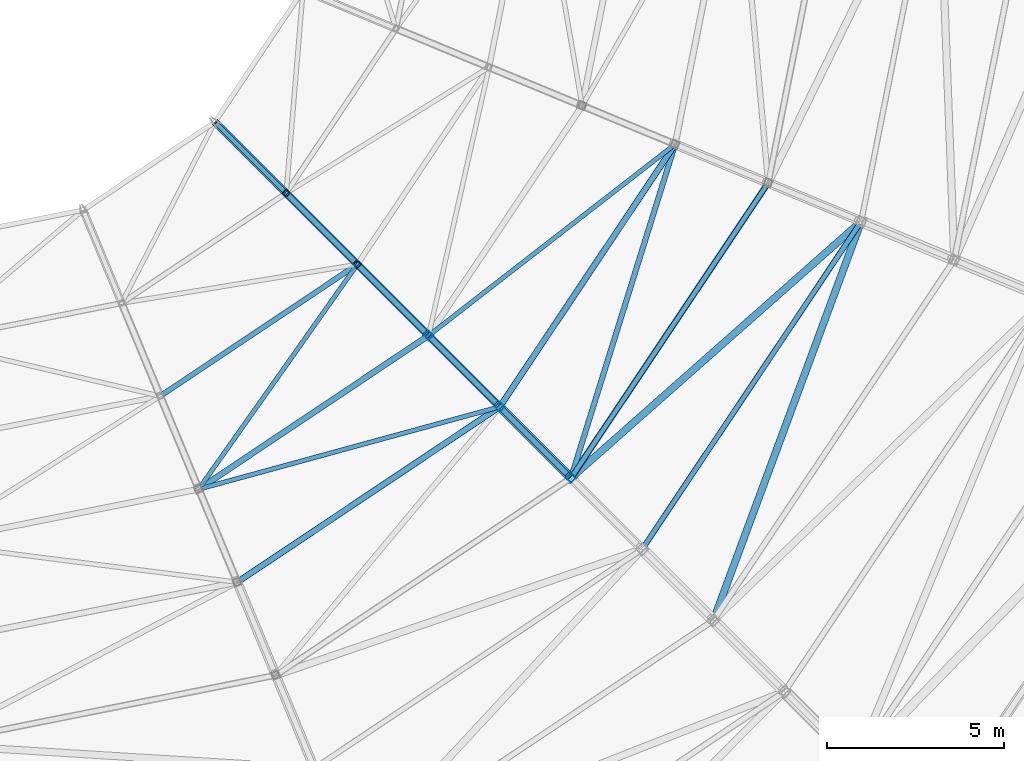
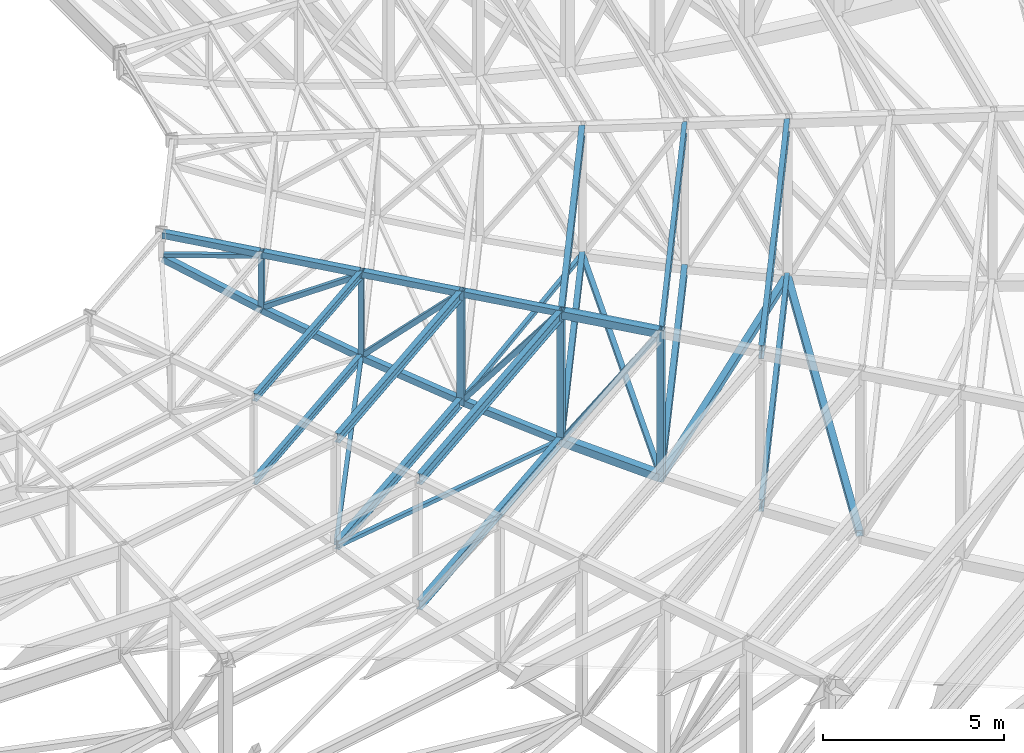
# One storey, part 47 of 278: 23 members, 15 beams.
"""IFC4 building model written with IfcOpenShell, lengths in metres."""

from ifc_helpers import new_model, si_unit, direction, frame, origin, origin_2d, place, context, subcontext, project, spatial, hollow_rectangle, i_section, extrude, material, material_profile, profile_set, type_object, element, save


model = new_model("IFC4")

# Units and contexts
model_context = context("Model", 3, precision=1e-05, world=origin(), true_north=direction((0.0, 1.0)))
body_context = subcontext(model_context, "Body", "Model", "MODEL_VIEW")
ifc_project = project(units=[si_unit("LENGTHUNIT", "METRE"), si_unit("AREAUNIT", "SQUARE_METRE"), si_unit("VOLUMEUNIT", "CUBIC_METRE"), si_unit("PLANEANGLEUNIT", "RADIAN"), si_unit("MASSUNIT", "GRAM", prefix="KILO")], contexts=[model_context])

# Site, building, storey
site_placement = place(None, origin())
site = spatial("IfcSite", under=ifc_project, at=site_placement, CompositionType="ELEMENT")
building_placement = place(site_placement, origin())
building = spatial("IfcBuilding", under=site, at=building_placement, Name="Ogive Plaza Stadium", CompositionType="ELEMENT")
storey_placement = place(building_placement, frame((0.0, 0.0, 29.0)))
storey = spatial("IfcBuildingStorey", under=building, at=storey_placement, Name="Roof", CompositionType="ELEMENT", Elevation=29.0)

# Members
ifc_material_1 = material(Name="Steel ASTM A500 Grade C", Category="steel")
ifc_material_profile_1 = material_profile(ifc_material_1, hollow_rectangle(XDim=0.126953125, YDim=0.126953125, WallThickness=0.005859375, at=origin_2d()), Name="HSS5X5X1/4")
ifc_profile_set_1 = profile_set([ifc_material_profile_1], Name="Steel ASTM A500 Grade C")
member_type_1 = type_object("IfcMemberType", Name="Roof plan brace HSS5X5X1/4", PredefinedType="BRACE", material=ifc_profile_set_1)
member_1_placement = place(storey_placement, frame((48.240966796875, -66.628173828125, 3.242431640625), z_axis=(0.786839994171, 0.610365157138, -0.091308260987), x_axis=(-0.612925545904, 0.790140667969, 0.0)))
element("IfcMember", 1, at=member_1_placement, inside=storey, type_object=member_type_1, Name="ROOF BRACE B09 4", PredefinedType="BRACE", context=body_context, shape_type="SweptSolid", body=[
    extrude(hollow_rectangle(XDim=0.126953125, YDim=0.126953125, WallThickness=0.005859375, at=origin_2d()), origin(), (0.0, 0.0, 1.0), 8.665771484375),
])
member_2_placement = place(storey_placement, frame((46.128662109375, -64.7099609375, 4.206298828125), z_axis=(-0.572228855685, -0.810840921574, -0.12284598741), x_axis=(0.817029308234, -0.576596140714, 0.0)))
element("IfcMember", 2, at=member_2_placement, inside=storey, type_object=member_type_1, Name="ROOF BRACE B10 3", PredefinedType="BRACE", context=body_context, shape_type="SweptSolid", body=[
    extrude(hollow_rectangle(XDim=0.126953125, YDim=0.126953125, WallThickness=0.005859375, at=origin_2d()), origin(), (0.0, 0.0, 1.0), 7.6552734375),
])
member_3_placement = place(storey_placement, frame((41.75048828125, -71.00244140625, 3.242431640625), z_axis=(0.960526396468, 0.262776220921, -0.091311003753), x_axis=(-0.263878593741, 0.964555901835, 0.0)))
element("IfcMember", 3, at=member_3_placement, inside=storey, type_object=member_type_1, Name="ROOF BRACE B10 4", PredefinedType="BRACE", context=body_context, shape_type="SweptSolid", body=[
    extrude(hollow_rectangle(XDim=0.126953125, YDim=0.126953125, WallThickness=0.005859375, at=origin_2d()), origin(), (0.0, 0.0, 1.0), 8.66552734375),
])
ifc_material_2 = material(Name="Steel ASTM A500 Grade C", Category="steel")
ifc_material_profile_2 = material_profile(ifc_material_2, hollow_rectangle(XDim=0.15234375, YDim=0.15234375, WallThickness=0.005859375, at=origin_2d()), Name="HSS6X6X1/4")
ifc_profile_set_2 = profile_set([ifc_material_profile_2], Name="Steel ASTM A500 Grade C")
member_type_2 = type_object("IfcMemberType", Name="Roof plan brace HSS6X6X1/4", PredefinedType="BRACE", material=ifc_profile_set_2)
member_4_placement = place(storey_placement, frame((55.13330078125, -61.3388671875, 2.434326171875), z_axis=(-0.297280996197, -0.952128458571, -0.071241895538), x_axis=(0.954553915167, -0.29803829123, 0.0)))
element("IfcMember", 4, at=member_4_placement, inside=storey, type_object=member_type_2, Name="ROOF BRACE B09 5", PredefinedType="BRACE", context=body_context, shape_type="SweptSolid", body=[
    extrude(hollow_rectangle(XDim=0.15234375, YDim=0.15234375, WallThickness=0.005859375, at=origin_2d()), origin(), (0.0, 0.0, 1.0), 9.71533203125),
])
ifc_material_3 = material(Name="Steel ASTM A500 Grade C", Category="steel")
ifc_material_profile_3 = material_profile(ifc_material_3, hollow_rectangle(XDim=0.203125, YDim=0.203125, WallThickness=0.0087890625, at=origin_2d()), Name="HSS8X8X3/8")
ifc_profile_set_3 = profile_set([ifc_material_profile_3], Name="Steel ASTM A500 Grade C")
member_type_3 = type_object("IfcMemberType", Name="Roof plan brace HSS8X8X3/8", PredefinedType="BRACE", material=ifc_profile_set_3)
member_5_placement = place(storey_placement, frame((52.266357421875, -70.65625, 1.729248046875), z_axis=(0.748227023619, 0.661529433752, -0.050350068578), x_axis=(-0.662369562827, 0.74917725689, 0.0)))
element("IfcMember", 5, at=member_5_placement, inside=storey, type_object=member_type_3, Name="ROOF BRACE B09 6", PredefinedType="BRACE", context=body_context, shape_type="SweptSolid", body=[
    extrude(hollow_rectangle(XDim=0.203125, YDim=0.203125, WallThickness=0.0087890625, at=origin_2d()), origin(), (0.0, 0.0, 1.0), 10.740234375),
])
member_6_placement = place(storey_placement, frame((60.387939453125, -63.539306640625, 1.176513671875), z_axis=(-0.347181209149, -0.937056013796, -0.037299263035), x_axis=(0.937708527297, -0.347422966763, 0.0)))
element("IfcMember", 6, at=member_6_placement, inside=storey, type_object=member_type_3, Name="ROOF BRACE B09 7", PredefinedType="BRACE", context=body_context, shape_type="SweptSolid", body=[
    extrude(hollow_rectangle(XDim=0.203125, YDim=0.203125, WallThickness=0.0087890625, at=origin_2d()), origin(), (0.0, 0.0, 1.0), 11.794921875),
])
ifc_material_4 = material(Name="Steel ASTM A992 Grade 50", Category="steel")
ifc_material_profile_4 = material_profile(ifc_material_4, i_section(OverallWidth=0.14599609375, OverallDepth=0.25830078125, WebThickness=0.006103515625, FlangeThickness=0.009033203125, at=origin_2d()), Name="W10X22")
ifc_profile_set_4 = profile_set([ifc_material_profile_4], Name="Steel ASTM A992 Grade 50")
member_type_4 = type_object("IfcMemberType", Name="Roof plan strut W10X22", PredefinedType="STRUT", material=ifc_profile_set_4)
member_7_placement = place(storey_placement, frame((46.110595703125, -64.69677734375, 4.213623046875), z_axis=(-0.831473916404, -0.555563791422, 0.0), x_axis=(0.555563791422, -0.831473916404, 0.0)))
element("IfcMember", 7, at=member_7_placement, inside=storey, type_object=member_type_4, Name="ROOF STRUT B10 2", PredefinedType="STRUT", context=body_context, shape_type="SweptSolid", body=[
    extrude(i_section(OverallWidth=0.14599609375, OverallDepth=0.25830078125, WebThickness=0.006103515625, FlangeThickness=0.009033203125, at=origin_2d()), origin(), (0.0, 0.0, 1.0), 6.5869140625),
])
ifc_material_5 = material(Name="Steel ASTM A992 Grade 50", Category="steel")
ifc_material_profile_5 = material_profile(ifc_material_5, i_section(OverallWidth=0.164794921875, OverallDepth=0.310302734375, WebThickness=0.005859375, FlangeThickness=0.009765625, at=origin_2d()), Name="W12X26")
ifc_profile_set_5 = profile_set([ifc_material_profile_5], Name="Steel ASTM A992 Grade 50")
member_type_5 = type_object("IfcMemberType", Name="Roof plan strut W12X26", PredefinedType="STRUT", material=ifc_profile_set_5)
member_8_placement = place(storey_placement, frame((55.10693359375, -61.33837890625, 2.43994140625), z_axis=(-0.555587921771, -0.831457792785, 0.0), x_axis=(0.831457792785, -0.555587921771, 0.0)))
element("IfcMember", 8, at=member_8_placement, inside=storey, type_object=member_type_5, Name="ROOF STRUT B09 4", PredefinedType="STRUT", context=body_context, shape_type="SweptSolid", body=[
    extrude(i_section(OverallWidth=0.164794921875, OverallDepth=0.310302734375, WebThickness=0.005859375, FlangeThickness=0.009765625, at=origin_2d()), origin(), (0.0, 0.0, 1.0), 8.755126953125),
])
member_9_placement = place(storey_placement, frame((48.102783203125, -66.7275390625, 3.249755859375), z_axis=(-0.831474896434, -0.555562324677, 0.0), x_axis=(0.555562324677, -0.831474896434, 0.0)))
element("IfcMember", 9, at=member_9_placement, inside=storey, type_object=member_type_5, Name="ROOF STRUT B10 3", PredefinedType="STRUT", context=body_context, shape_type="SweptSolid", body=[
    extrude(i_section(OverallWidth=0.164794921875, OverallDepth=0.310302734375, WebThickness=0.005859375, FlangeThickness=0.009765625, at=origin_2d()), origin(), (0.0, 0.0, 1.0), 7.643310546875),
])
member_10_placement = place(storey_placement, frame((50.117919921875, -68.74267578125, 2.43994140625), z_axis=(-0.831457792785, -0.555587921771, 0.0), x_axis=(0.555587921771, -0.831457792785, 0.0)))
element("IfcMember", 10, at=member_10_placement, inside=storey, type_object=member_type_5, Name="ROOF STRUT B10 4", PredefinedType="STRUT", context=body_context, shape_type="SweptSolid", body=[
    extrude(i_section(OverallWidth=0.164794921875, OverallDepth=0.310302734375, WebThickness=0.005859375, FlangeThickness=0.009765625, at=origin_2d()), origin(), (0.0, 0.0, 1.0), 8.755126953125),
])
ifc_material_6 = material(Name="Steel ASTM A992 Grade 50", Category="steel")
ifc_material_profile_6 = material_profile(ifc_material_6, i_section(OverallWidth=0.17138671875, OverallDepth=0.35498046875, WebThickness=0.00732421875, FlangeThickness=0.011474609375, at=origin_2d()), Name="W14X34")
ifc_profile_set_6 = profile_set([ifc_material_profile_6], Name="Steel ASTM A992 Grade 50")
member_type_6 = type_object("IfcMemberType", Name="Roof plan strut W14X34", PredefinedType="STRUT", material=ifc_profile_set_6)
member_11_placement = place(storey_placement, frame((57.739501953125, -62.429443359375, 1.733154296875), z_axis=(-0.55557361639, -0.831467351597, 0.0), x_axis=(0.831467351597, -0.55557361639, 0.0)))
element("IfcMember", 11, at=member_11_placement, inside=storey, type_object=member_type_6, Name="ROOF STRUT B09 5", PredefinedType="STRUT", context=body_context, shape_type="SweptSolid", body=[
    extrude(i_section(OverallWidth=0.17138671875, OverallDepth=0.35498046875, WebThickness=0.00732421875, FlangeThickness=0.011474609375, at=origin_2d()), origin(), (0.0, 0.0, 1.0), 9.86572265625),
])
ifc_material_7 = material(Name="Steel ASTM A992 Grade 50", Category="steel")
ifc_material_profile_7 = material_profile(ifc_material_7, i_section(OverallWidth=0.140380859375, OverallDepth=0.4033203125, WebThickness=0.007080078125, FlangeThickness=0.01123046875, at=origin_2d()), Name="W16X31")
ifc_profile_set_7 = profile_set([ifc_material_profile_7], Name="Steel ASTM A992 Grade 50")
member_type_7 = type_object("IfcMemberType", Name="Roof plan strut W16X31", PredefinedType="STRUT", material=ifc_profile_set_7)
member_12_placement = place(storey_placement, frame((60.35986328125, -63.5390625, 1.180419921875), z_axis=(-0.555560551847, -0.831476080974, 0.0), x_axis=(0.831476080974, -0.555560551847, 0.0)))
element("IfcMember", 12, at=member_12_placement, inside=storey, type_object=member_type_7, Name="ROOF STRUT B09 6", PredefinedType="STRUT", context=body_context, shape_type="SweptSolid", body=[
    extrude(i_section(OverallWidth=0.140380859375, OverallDepth=0.4033203125, WebThickness=0.007080078125, FlangeThickness=0.01123046875, at=origin_2d()), origin(), (0.0, 0.0, 1.0), 10.93212890625),
])
ifc_material_8 = material(Name="Steel ASTM A992 Grade 50", Category="steel")
ifc_material_profile_8 = material_profile(ifc_material_8, i_section(OverallWidth=0.14599609375, OverallDepth=0.25830078125, WebThickness=0.006103515625, FlangeThickness=0.009033203125, at=origin_2d()), Name="W10X22")
ifc_profile_set_8 = profile_set([ifc_material_profile_8], Name="Steel ASTM A992 Grade 50")
member_type_8 = type_object("IfcMemberType", Name="Roof purlin W10X22", PredefinedType="PURLIN", material=ifc_profile_set_8)
member_13_placement = place(storey_placement, frame((46.110595703125, -64.69677734375, 7.0107421875), z_axis=(-0.831473916404, -0.555563791422, 0.0), x_axis=(0.555563791422, -0.831473916404, 0.0)))
element("IfcMember", 13, at=member_13_placement, inside=storey, type_object=member_type_8, Name="ROOF PURLIN B10 2", PredefinedType="PURLIN", context=body_context, shape_type="SweptSolid", body=[
    extrude(i_section(OverallWidth=0.14599609375, OverallDepth=0.25830078125, WebThickness=0.006103515625, FlangeThickness=0.009033203125, at=origin_2d()), origin(), (0.0, 0.0, 1.0), 6.5869140625),
])
ifc_material_9 = material(Name="Steel ASTM A992 Grade 50", Category="steel")
ifc_material_profile_9 = material_profile(ifc_material_9, i_section(OverallWidth=0.164794921875, OverallDepth=0.310302734375, WebThickness=0.005859375, FlangeThickness=0.009765625, at=origin_2d()), Name="W12X26")
ifc_profile_set_9 = profile_set([ifc_material_profile_9], Name="Steel ASTM A992 Grade 50")
member_type_9 = type_object("IfcMemberType", Name="Roof purlin W12X26", PredefinedType="PURLIN", material=ifc_profile_set_9)
member_14_placement = place(storey_placement, frame((48.102783203125, -66.7275390625, 6.84228515625), z_axis=(-0.831474896434, -0.555562324677, 0.0), x_axis=(0.555562324677, -0.831474896434, 0.0)))
element("IfcMember", 14, at=member_14_placement, inside=storey, type_object=member_type_9, Name="ROOF PURLIN B10 3", PredefinedType="PURLIN", context=body_context, shape_type="SweptSolid", body=[
    extrude(i_section(OverallWidth=0.164794921875, OverallDepth=0.310302734375, WebThickness=0.005859375, FlangeThickness=0.009765625, at=origin_2d()), origin(), (0.0, 0.0, 1.0), 7.643310546875),
])
ifc_material_10 = material(Name="Steel ASTM A992 Grade 50", Category="steel")
ifc_material_profile_10 = material_profile(ifc_material_10, i_section(OverallWidth=0.17138671875, OverallDepth=0.35498046875, WebThickness=0.00732421875, FlangeThickness=0.011474609375, at=origin_2d()), Name="W14X34")
ifc_profile_set_10 = profile_set([ifc_material_profile_10], Name="Steel ASTM A992 Grade 50")
member_type_10 = type_object("IfcMemberType", Name="Roof purlin W14X34", PredefinedType="PURLIN", material=ifc_profile_set_10)
for number, where, z_axis, x_axis, name in (
    (15, (55.1064453125, -61.3388671875, 6.677490234375), (-0.555562332825, -0.83147489099, 0.0), (0.83147489099, -0.555562332825, 0.0), "ROOF PURLIN B09 4"),
    (16, (50.117431640625, -68.7431640625, 6.677490234375), (-0.83147489099, -0.555562332825, 0.0), (0.555562332825, -0.83147489099, 0.0), "ROOF PURLIN B10 4"),
):
    element("IfcMember", number, at=place(storey_placement, frame(where, z_axis=z_axis, x_axis=x_axis)), inside=storey, type_object=member_type_10, Name=name, PredefinedType="PURLIN", context=body_context, shape_type="SweptSolid", body=[
        extrude(i_section(OverallWidth=0.17138671875, OverallDepth=0.35498046875, WebThickness=0.00732421875, FlangeThickness=0.011474609375, at=origin_2d()), origin(), (0.0, 0.0, 1.0), 8.75390625),
    ])
ifc_material_11 = material(Name="Steel ASTM A992 Grade 50", Category="steel")
ifc_material_profile_11 = material_profile(ifc_material_11, i_section(OverallWidth=0.140380859375, OverallDepth=0.4033203125, WebThickness=0.007080078125, FlangeThickness=0.01123046875, at=origin_2d()), Name="W16X31")
ifc_profile_set_11 = profile_set([ifc_material_profile_11], Name="Steel ASTM A992 Grade 50")
member_type_11 = type_object("IfcMemberType", Name="Roof purlin W16X31", PredefinedType="PURLIN", material=ifc_profile_set_11)
member_15_placement = place(storey_placement, frame((57.7412109375, -62.427001953125, 6.5107421875), z_axis=(-0.555573071416, -0.831467715739, 0.0), x_axis=(0.831467715739, -0.555573071416, 0.0)))
element("IfcMember", 17, at=member_15_placement, inside=storey, type_object=member_type_11, Name="ROOF PURLIN B09 5", PredefinedType="PURLIN", context=body_context, shape_type="SweptSolid", body=[
    extrude(i_section(OverallWidth=0.140380859375, OverallDepth=0.4033203125, WebThickness=0.007080078125, FlangeThickness=0.01123046875, at=origin_2d()), origin(), (0.0, 0.0, 1.0), 9.8720703125),
])
ifc_material_12 = material(Name="Steel ASTM A992 Grade 50", Category="steel")
ifc_material_profile_12 = material_profile(ifc_material_12, i_section(OverallWidth=0.15234375, OverallDepth=0.449462890625, WebThickness=0.007568359375, FlangeThickness=0.0107421875, at=origin_2d()), Name="W18X35")
ifc_profile_set_12 = profile_set([ifc_material_profile_12], Name="Steel ASTM A992 Grade 50")
member_type_12 = type_object("IfcMemberType", Name="Roof purlin W18X35", PredefinedType="PURLIN", material=ifc_profile_set_12)
member_16_placement = place(storey_placement, frame((60.359375, -63.5400390625, 6.34521484375), z_axis=(-0.555581326448, -0.831462199803, 0.0), x_axis=(0.831462199803, -0.555581326448, 0.0)))
element("IfcMember", 18, at=member_16_placement, inside=storey, type_object=member_type_12, Name="ROOF PURLIN B09 6", PredefinedType="PURLIN", context=body_context, shape_type="SweptSolid", body=[
    extrude(i_section(OverallWidth=0.15234375, OverallDepth=0.449462890625, WebThickness=0.007568359375, FlangeThickness=0.0107421875, at=origin_2d()), origin(), (0.0, 0.0, 1.0), 10.929931640625),
])

# Beams
ifc_material_13 = material(Name="Steel ASTM A500 Grade C", Category="steel")
ifc_material_profile_13 = material_profile(ifc_material_13, hollow_rectangle(XDim=0.25390625, YDim=0.25390625, WallThickness=0.01171875, at=origin_2d()), Name="HSS10X10X1/2")
ifc_profile_set_13 = profile_set([ifc_material_profile_13], Name="Steel ASTM A500 Grade C")
beam_type_1 = type_object("IfcBeamType", Name="Roof truss bottom chord HSS10X10X1/2", PredefinedType="BEAM", material=ifc_profile_set_13)
beam_1_placement = place(storey_placement, frame((50.222412109375, -68.722412109375, 2.433349609375), z_axis=(0.686330364607, -0.686330364607, -0.240626809059), x_axis=(0.707106781187, 0.707106781187, 0.0)))
element("IfcBeam", 19, at=beam_1_placement, inside=storey, type_object=beam_type_1, Name="ROOF TRUSS T10 BOTTOM CHORD 5", PredefinedType="BEAM", context=body_context, shape_type="SweptSolid", body=[
    extrude(hollow_rectangle(XDim=0.25390625, YDim=0.25390625, WallThickness=0.01171875, at=origin_2d()), origin(), (0.0, 0.0, 1.0), 2.85009765625),
])
ifc_material_14 = material(Name="Steel ASTM A500 Grade C", Category="steel")
ifc_material_profile_14 = material_profile(ifc_material_14, hollow_rectangle(XDim=0.203125, YDim=0.203125, WallThickness=0.01171875, at=origin_2d()), Name="HSS8X8X1/2")
ifc_profile_set_14 = profile_set([ifc_material_profile_14], Name="Steel ASTM A500 Grade C")
beam_type_2 = type_object("IfcBeamType", Name="Roof truss bottom chord HSS8X8X1/2", PredefinedType="BEAM", material=ifc_profile_set_14)
beam_2_placement = place(storey_placement, frame((42.159912109375, -60.659912109375, 6.518310546875), z_axis=(0.649991641877, -0.649991641877, -0.393727991105), x_axis=(0.707106781187, 0.707106781187, 0.0)))
element("IfcBeam", 20, at=beam_2_placement, inside=storey, type_object=beam_type_2, Name="ROOF TRUSS T10 BOTTOM CHORD 1", PredefinedType="BEAM", context=body_context, shape_type="SweptSolid", body=[
    extrude(hollow_rectangle(XDim=0.203125, YDim=0.203125, WallThickness=0.01171875, at=origin_2d()), origin(), (0.0, 0.0, 1.0), 3.047607421875),
])
beam_3_placement = place(storey_placement, frame((44.172607421875, -62.672607421875, 5.299072265625), z_axis=(0.660282530207, -0.660282530207, -0.357846280696), x_axis=(0.707106781187, 0.707106781187, 0.0)))
element("IfcBeam", 21, at=beam_3_placement, inside=storey, type_object=beam_type_2, Name="ROOF TRUSS T10 BOTTOM CHORD 2", PredefinedType="BEAM", context=body_context, shape_type="SweptSolid", body=[
    extrude(hollow_rectangle(XDim=0.203125, YDim=0.203125, WallThickness=0.01171875, at=origin_2d()), origin(), (0.0, 0.0, 1.0), 3.00048828125),
])
beam_4_placement = place(storey_placement, frame((46.185302734375, -64.685302734375, 4.208251953125), z_axis=(0.669842885188, -0.669842885188, -0.32034515499), x_axis=(0.707106781187, 0.707106781187, 0.0)))
element("IfcBeam", 22, at=beam_4_placement, inside=storey, type_object=beam_type_2, Name="ROOF TRUSS T10 BOTTOM CHORD 3", PredefinedType="BEAM", context=body_context, shape_type="SweptSolid", body=[
    extrude(hollow_rectangle(XDim=0.203125, YDim=0.203125, WallThickness=0.01171875, at=origin_2d()), origin(), (0.0, 0.0, 1.0), 2.93115234375),
])
beam_5_placement = place(storey_placement, frame((48.208740234375, -66.708740234375, 3.2412109375), z_axis=(0.678564027616, -0.678564027616, -0.281250281514), x_axis=(0.707106781187, 0.707106781187, 0.0)))
element("IfcBeam", 23, at=beam_5_placement, inside=storey, type_object=beam_type_2, Name="ROOF TRUSS T10 BOTTOM CHORD 4", PredefinedType="BEAM", context=body_context, shape_type="SweptSolid", body=[
    extrude(hollow_rectangle(XDim=0.203125, YDim=0.203125, WallThickness=0.01171875, at=origin_2d()), origin(), (0.0, 0.0, 1.0), 2.877685546875),
])

# Members
ifc_material_15 = material(Name="Steel ASTM A500 Grade C", Category="steel")
ifc_material_profile_15 = material_profile(ifc_material_15, hollow_rectangle(XDim=0.126953125, YDim=0.126953125, WallThickness=0.005859375, at=origin_2d()), Name="HSS5X5X1/4")
ifc_profile_set_15 = profile_set([ifc_material_profile_15], Name="Steel ASTM A500 Grade C")
member_type_13 = type_object("IfcMemberType", Name="Roof truss diagonal HSS5X5X1/4", PredefinedType="BRACE", material=ifc_profile_set_15)
member_17_placement = place(storey_placement, frame((42.185546875, -60.685546875, 6.628173828125), z_axis=(0.69741961611, -0.69741961611, 0.164959868242), x_axis=(0.707106781187, 0.707106781187, 0.0)))
element("IfcMember", 24, at=member_17_placement, inside=storey, type_object=member_type_13, Name="ROOF TRUSS T10 DIAGONAL 1", PredefinedType="BRACE", context=body_context, shape_type="SweptSolid", body=[
    extrude(hollow_rectangle(XDim=0.126953125, YDim=0.126953125, WallThickness=0.005859375, at=origin_2d()), origin(), (0.0, 0.0, 1.0), 2.735107421875),
])
ifc_material_16 = material(Name="Steel ASTM A500 Grade C", Category="steel")
ifc_material_profile_16 = material_profile(ifc_material_16, hollow_rectangle(XDim=0.15234375, YDim=0.15234375, WallThickness=0.005859375, at=origin_2d()), Name="HSS6X6X1/4")
ifc_profile_set_16 = profile_set([ifc_material_profile_16], Name="Steel ASTM A500 Grade C")
member_type_14 = type_object("IfcMemberType", Name="Roof truss diagonal HSS6X6X1/4", PredefinedType="BRACE", material=ifc_profile_set_16)
member_18_placement = place(storey_placement, frame((44.200927734375, -62.700927734375, 5.407470703125), z_axis=(0.61513271655, -0.61513271655, 0.493176927745), x_axis=(0.707106781187, 0.707106781187, 0.0)))
element("IfcMember", 25, at=member_18_placement, inside=storey, type_object=member_type_14, Name="ROOF TRUSS T10 DIAGONAL 2", PredefinedType="BRACE", context=body_context, shape_type="SweptSolid", body=[
    extrude(hollow_rectangle(XDim=0.15234375, YDim=0.15234375, WallThickness=0.005859375, at=origin_2d()), origin(), (0.0, 0.0, 1.0), 3.100830078125),
])
member_19_placement = place(storey_placement, frame((46.216064453125, -64.716064453125, 4.315185546875), z_axis=(0.518402991989, -0.518402991989, 0.680085785614), x_axis=(0.707106781187, 0.707106781187, 0.0)))
element("IfcMember", 26, at=member_19_placement, inside=storey, type_object=member_type_14, Name="ROOF TRUSS T10 DIAGONAL 3", PredefinedType="BRACE", context=body_context, shape_type="SweptSolid", body=[
    extrude(hollow_rectangle(XDim=0.15234375, YDim=0.15234375, WallThickness=0.005859375, at=origin_2d()), origin(), (0.0, 0.0, 1.0), 3.64501953125),
])
member_20_placement = place(storey_placement, frame((48.249267578125, -66.749267578125, 3.3515625), z_axis=(0.442396624327, -0.442396624327, 0.780109257456), x_axis=(0.707106781187, 0.707106781187, 0.0)))
element("IfcMember", 27, at=member_20_placement, inside=storey, type_object=member_type_14, Name="ROOF TRUSS T10 DIAGONAL 4", PredefinedType="BRACE", context=body_context, shape_type="SweptSolid", body=[
    extrude(hollow_rectangle(XDim=0.15234375, YDim=0.15234375, WallThickness=0.005859375, at=origin_2d()), origin(), (0.0, 0.0, 1.0), 4.23046875),
])
member_21_placement = place(storey_placement, frame((50.2646484375, -68.7646484375, 2.56689453125), z_axis=(0.397667434985, -0.397667434985, 0.826874369118), x_axis=(0.707106781187, 0.707106781187, 0.0)))
element("IfcMember", 28, at=member_21_placement, inside=storey, type_object=member_type_14, Name="ROOF TRUSS T10 DIAGONAL 5", PredefinedType="BRACE", context=body_context, shape_type="SweptSolid", body=[
    extrude(hollow_rectangle(XDim=0.15234375, YDim=0.15234375, WallThickness=0.005859375, at=origin_2d()), origin(), (0.0, 0.0, 1.0), 4.706298828125),
])

# Beams
ifc_material_17 = material(Name="Steel ASTM A500 Grade C", Category="steel")
ifc_material_profile_17 = material_profile(ifc_material_17, hollow_rectangle(XDim=0.15234375, YDim=0.15234375, WallThickness=0.0087890625, at=origin_2d()), Name="HSS6X6X3/8")
ifc_profile_set_17 = profile_set([ifc_material_profile_17], Name="Steel ASTM A500 Grade C")
beam_type_3 = type_object("IfcBeamType", Name="Roof truss post HSS6X6X3/8", PredefinedType="BEAM", material=ifc_profile_set_17)
beam_6_placement = place(storey_placement, frame((44.14697265625, -62.64697265625, 5.204345703125), z_axis=(0.0, 0.0, 1.0), x_axis=(0.707106781187, 0.707106781187, 0.0)))
element("IfcBeam", 29, at=beam_6_placement, inside=storey, type_object=beam_type_3, Name="ROOF TRUSS T10 POST 2", PredefinedType="BEAM", context=body_context, shape_type="SweptSolid", body=[
    extrude(hollow_rectangle(XDim=0.15234375, YDim=0.15234375, WallThickness=0.0087890625, at=origin_2d()), origin(), (0.0, 0.0, 1.0), 2.078125),
])
beam_7_placement = place(storey_placement, frame((46.162353515625, -64.662353515625, 4.112060546875), z_axis=(0.0, 0.0, 1.0), x_axis=(0.707106781187, 0.707106781187, 0.0)))
element("IfcBeam", 30, at=beam_7_placement, inside=storey, type_object=beam_type_3, Name="ROOF TRUSS T10 POST 3", PredefinedType="BEAM", context=body_context, shape_type="SweptSolid", body=[
    extrude(hollow_rectangle(XDim=0.15234375, YDim=0.15234375, WallThickness=0.0087890625, at=origin_2d()), origin(), (0.0, 0.0, 1.0), 3.02783203125),
])
ifc_material_18 = material(Name="Steel ASTM A500 Grade C", Category="steel")
ifc_material_profile_18 = material_profile(ifc_material_18, hollow_rectangle(XDim=0.203125, YDim=0.203125, WallThickness=0.0087890625, at=origin_2d()), Name="HSS8X8X3/8")
ifc_profile_set_18 = profile_set([ifc_material_profile_18], Name="Steel ASTM A500 Grade C")
beam_type_4 = type_object("IfcBeamType", Name="Roof truss post HSS8X8X3/8", PredefinedType="BEAM", material=ifc_profile_set_18)
beam_8_placement = place(storey_placement, frame((48.177490234375, -66.677490234375, 3.148193359375), z_axis=(0.0, 0.0, 1.0), x_axis=(0.707106781187, 0.707106781187, 0.0)))
element("IfcBeam", 31, at=beam_8_placement, inside=storey, type_object=beam_type_4, Name="ROOF TRUSS T10 POST 4", PredefinedType="BEAM", context=body_context, shape_type="SweptSolid", body=[
    extrude(hollow_rectangle(XDim=0.203125, YDim=0.203125, WallThickness=0.0087890625, at=origin_2d()), origin(), (0.0, 0.0, 1.0), 3.849365234375),
])
beam_9_placement = place(storey_placement, frame((50.192626953125, -68.692626953125, 2.31298828125), z_axis=(0.0, 0.0, 1.0), x_axis=(0.707106781187, 0.707106781187, 0.0)))
element("IfcBeam", 32, at=beam_9_placement, inside=storey, type_object=beam_type_4, Name="ROOF TRUSS T10 POST 5", PredefinedType="BEAM", context=body_context, shape_type="SweptSolid", body=[
    extrude(hollow_rectangle(XDim=0.203125, YDim=0.203125, WallThickness=0.0087890625, at=origin_2d()), origin(), (0.0, 0.0, 1.0), 4.5419921875),
])
beam_10_placement = place(storey_placement, frame((52.2080078125, -70.7080078125, 1.606201171875), z_axis=(0.0, 0.0, 1.0), x_axis=(0.707106781187, 0.707106781187, 0.0)))
element("IfcBeam", 33, at=beam_10_placement, inside=storey, type_object=beam_type_4, Name="ROOF TRUSS T10 POST 6", PredefinedType="BEAM", context=body_context, shape_type="SweptSolid", body=[
    extrude(hollow_rectangle(XDim=0.203125, YDim=0.203125, WallThickness=0.0087890625, at=origin_2d()), origin(), (0.0, 0.0, 1.0), 5.106201171875),
])
ifc_material_19 = material(Name="Steel ASTM A500 Grade C", Category="steel")
ifc_material_profile_19 = material_profile(ifc_material_19, hollow_rectangle(XDim=0.25390625, YDim=0.25390625, WallThickness=0.0087890625, at=origin_2d()), Name="HSS10X10X3/8")
ifc_profile_set_19 = profile_set([ifc_material_profile_19], Name="Steel ASTM A500 Grade C")
beam_type_5 = type_object("IfcBeamType", Name="Roof truss top chord HSS10X10X3/8", PredefinedType="BEAM", material=ifc_profile_set_19)
beam_11_placement = place(storey_placement, frame((50.22802734375, -68.72802734375, 6.725341796875), z_axis=(0.706225209818, -0.706225209818, -0.049918994743), x_axis=(0.707106781187, 0.707106781187, 0.0)))
element("IfcBeam", 34, at=beam_11_placement, inside=storey, type_object=beam_type_5, Name="ROOF TRUSS T10 TOP CHORD 5", PredefinedType="BEAM", context=body_context, shape_type="SweptSolid", body=[
    extrude(hollow_rectangle(XDim=0.25390625, YDim=0.25390625, WallThickness=0.0087890625, at=origin_2d()), origin(), (0.0, 0.0, 1.0), 2.75341796875),
])
ifc_material_20 = material(Name="Steel ASTM A500 Grade C", Category="steel")
ifc_material_profile_20 = material_profile(ifc_material_20, hollow_rectangle(XDim=0.203125, YDim=0.203125, WallThickness=0.0087890625, at=origin_2d()), Name="HSS8X8X3/8")
ifc_profile_set_20 = profile_set([ifc_material_profile_20], Name="Steel ASTM A500 Grade C")
beam_type_6 = type_object("IfcBeamType", Name="Roof truss top chord HSS8X8X3/8", PredefinedType="BEAM", material=ifc_profile_set_20)
for number, where, z_axis, x_axis, name in (
    (35, (42.160888671875, -60.660888671875, 7.3212890625), (0.706223982221, -0.706223982221, -0.049953717305), (0.707106781187, 0.707106781187, 0.0), "ROOF TRUSS T10 TOP CHORD 1"),
    (36, (44.176025390625, -62.676025390625, 7.1787109375), (0.706223982221, -0.706223982221, -0.049953717305), (0.707106781187, 0.707106781187, 0.0), "ROOF TRUSS T10 TOP CHORD 2"),
):
    element("IfcBeam", number, at=place(storey_placement, frame(where, z_axis=z_axis, x_axis=x_axis)), inside=storey, type_object=beam_type_6, Name=name, PredefinedType="BEAM", context=body_context, shape_type="SweptSolid", body=[
        extrude(hollow_rectangle(XDim=0.203125, YDim=0.203125, WallThickness=0.0087890625, at=origin_2d()), origin(), (0.0, 0.0, 1.0), 2.771240234375),
    ])
beam_12_placement = place(storey_placement, frame((46.19140625, -64.69140625, 7.0361328125), z_axis=(0.706224483958, -0.706224483958, -0.04993952859), x_axis=(0.707106781187, 0.707106781187, 0.0)))
element("IfcBeam", 37, at=beam_12_placement, inside=storey, type_object=beam_type_6, Name="ROOF TRUSS T10 TOP CHORD 3", PredefinedType="BEAM", context=body_context, shape_type="SweptSolid", body=[
    extrude(hollow_rectangle(XDim=0.203125, YDim=0.203125, WallThickness=0.0087890625, at=origin_2d()), origin(), (0.0, 0.0, 1.0), 2.76220703125),
])
beam_13_placement = place(storey_placement, frame((48.212890625, -66.712890625, 6.893310546875), z_axis=(0.706225209818, -0.706225209818, -0.049918994743), x_axis=(0.707106781187, 0.707106781187, 0.0)))
element("IfcBeam", 38, at=beam_13_placement, inside=storey, type_object=beam_type_6, Name="ROOF TRUSS T10 TOP CHORD 4", PredefinedType="BEAM", context=body_context, shape_type="SweptSolid", body=[
    extrude(hollow_rectangle(XDim=0.203125, YDim=0.203125, WallThickness=0.0087890625, at=origin_2d()), origin(), (0.0, 0.0, 1.0), 2.75341796875),
])

save(model, "model.ifc")
